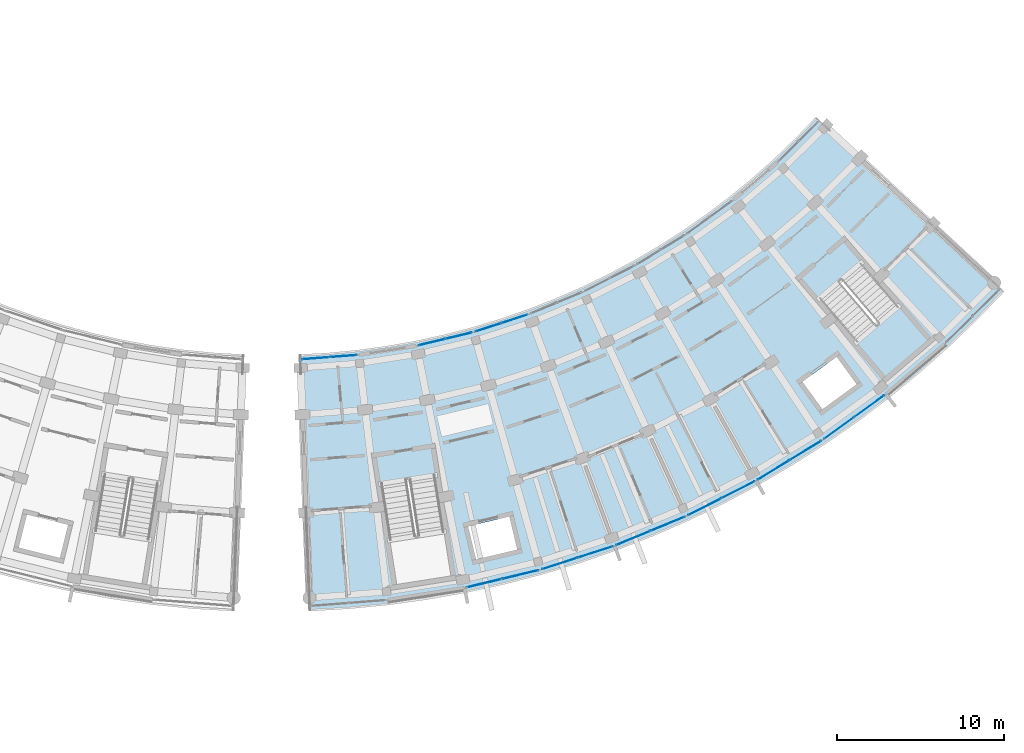
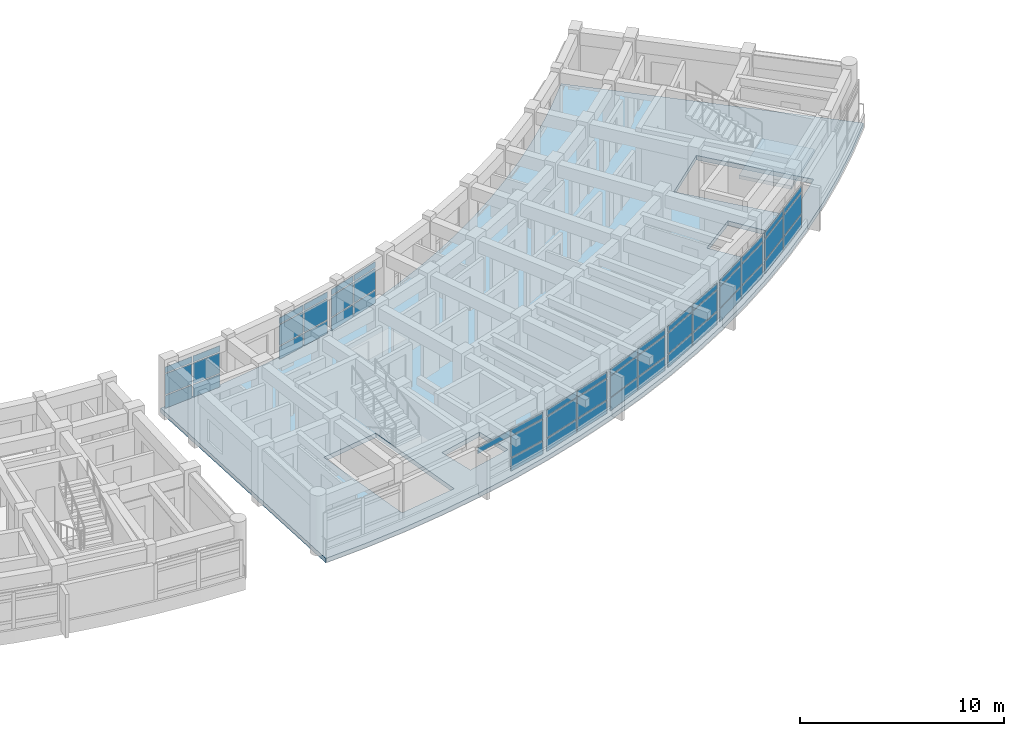
# One storey, part 50 of 83: 52 plates, 2 slabs, 10 elements without a shape of their own.
"""IFC4 building model written with IfcOpenShell, lengths in metres."""

import ifcopenshell
import ifcopenshell.guid

model = None  # the IFC model being written
_history = None  # IfcOwnerHistory: only IFC2X3 demands one
_inside = {}  # id of a spatial element -> (the spatial element, [elements in it])
_under = {}  # id of a project, library or spatial element -> (it, [spatial elements below it])
_declared = {}  # id of a project -> (the project, [libraries it declares])
_typed = {}  # id of a type object -> (the type object, [elements of that type])
_made_of = {}  # id of a material, layer set ... -> (it, [elements and type objects made of it])


def new_model(schema):
    """Start an empty IFC model of exactly this schema.

    Asked for "IFC4X3", IfcOpenShell would pick the latest addendum, in which some entities
    have other attributes; the version numbers below select the first issue.
    IFC2X3 requires an IfcOwnerHistory on every rooted entity: one is made here for all.
    """
    global model, _history
    if schema == "IFC4X3":
        model = ifcopenshell.file(schema_version=(4, 3, 0, 0))
    else:
        model = ifcopenshell.file(schema=schema)
    _inside.clear()
    _under.clear()
    _declared.clear()
    _typed.clear()
    _made_of.clear()
    _history = None
    if model.schema == "IFC2X3":
        org = make("IfcOrganization", Name="unknown")
        user = make(
            "IfcPersonAndOrganization",
            ThePerson=make("IfcPerson", FamilyName="unknown"),
            TheOrganization=org,
        )
        app = make(
            "IfcApplication",
            ApplicationDeveloper=org,
            Version="unknown",
            ApplicationFullName="unknown",
            ApplicationIdentifier="unknown",
        )
        _history = make(
            "IfcOwnerHistory",
            OwningUser=user,
            OwningApplication=app,
            ChangeAction="ADDED",
            CreationDate=0,
        )
    return model


def make(cls, **values):
    """One entity of the class cls with the attributes given. An attribute that is None is left unset."""
    return model.create_entity(
        cls, **{name: value for name, value in values.items() if value is not None}
    )


def rooted(cls, **values):
    """An entity with a GlobalId (a new one), such as an element, a storey or a relation."""
    return make(cls, GlobalId=ifcopenshell.guid.new(), OwnerHistory=_history, **values)


def si_unit(unit_type, name, prefix=None):
    """IfcSIUnit, for example si_unit("LENGTHUNIT", "METRE", prefix="MILLI")."""
    return make("IfcSIUnit", UnitType=unit_type, Prefix=prefix, Name=name)


def assignment(units):
    """IfcUnitAssignment: the units of a project."""
    return None if units is None else make("IfcUnitAssignment", Units=units)


def point(xyz):
    """IfcCartesianPoint."""
    return None if xyz is None else make("IfcCartesianPoint", Coordinates=xyz)


def direction(xyz):
    """IfcDirection."""
    return None if xyz is None else make("IfcDirection", DirectionRatios=xyz)


def frame(location, z_axis=None, x_axis=None):
    """IfcAxis2Placement3D, a coordinate frame: its origin and axes. An axis left out is left unset."""
    return make(
        "IfcAxis2Placement3D",
        Location=point(location),
        Axis=direction(z_axis),
        RefDirection=direction(x_axis),
    )


def frame_2d(location, x_axis=None):
    """IfcAxis2Placement2D, a coordinate frame in the plane: its origin and x axis."""
    return make(
        "IfcAxis2Placement2D", Location=point(location), RefDirection=direction(x_axis)
    )


def origin():
    """The frame at (0, 0, 0) with its axes left unset."""
    return frame((0.0, 0.0, 0.0))


def origin_2d():
    """The frame at (0, 0) in the plane with its x axis left unset."""
    return frame_2d((0.0, 0.0))


def place(relative_to, where):
    """IfcLocalPlacement: puts the frame where relative to a parent placement (None: the world)."""
    return make(
        "IfcLocalPlacement", PlacementRelTo=relative_to, RelativePlacement=where
    )


def context(
    kind, dimensions, precision=None, world=None, true_north=None, identifier=None
):
    """IfcGeometricRepresentationContext, for example the 3D "Model" context."""
    return make(
        "IfcGeometricRepresentationContext",
        ContextIdentifier=identifier,
        ContextType=kind,
        CoordinateSpaceDimension=dimensions,
        Precision=precision,
        WorldCoordinateSystem=world,
        TrueNorth=true_north,
    )


def subcontext(parent, identifier, kind, view, scale=None):
    """IfcGeometricRepresentationSubContext, for example "Body" below "Model"."""
    return make(
        "IfcGeometricRepresentationSubContext",
        ContextIdentifier=identifier,
        ContextType=kind,
        ParentContext=parent,
        TargetScale=scale,
        TargetView=view,
    )


def project(units=None, contexts=None):
    """IfcProject with its units and contexts."""
    return rooted(
        "IfcProject",
        Name="project",
        RepresentationContexts=contexts,
        UnitsInContext=assignment(units),
    )


def spatial(cls, under=None, at=None, **own):
    """A site, building, storey or space (cls), placed at a placement, below another one or the project."""
    s = rooted(cls, ObjectPlacement=at, **own)
    if under is not None:
        _under.setdefault(under.id(), (under, []))[1].append(s)
    return s


def polyline(points):
    """IfcPolyline through the points."""
    return make("IfcPolyline", Points=[point(p) for p in points])


def profile(cls, at=None, kind="AREA", **sizes):
    """A parametric profile (cls). Its sizes go by their IFC names, for example OverallWidth=200.0."""
    return make(cls, ProfileType=kind, Position=at, **sizes)


def rectangle(**sizes):
    """IfcRectangleProfileDef."""
    return profile("IfcRectangleProfileDef", **sizes)


def outline(outer, holes=None, kind="AREA"):
    """IfcArbitraryClosedProfileDef: a profile drawn as a closed curve; with holes, ...WithVoids."""
    if holes is None:
        return make("IfcArbitraryClosedProfileDef", ProfileType=kind, OuterCurve=outer)
    return make(
        "IfcArbitraryProfileDefWithVoids",
        ProfileType=kind,
        OuterCurve=outer,
        InnerCurves=holes,
    )


def extrude(swept, where, along, depth):
    """IfcExtrudedAreaSolid: the profile swept, set in the frame where, extruded along a direction by depth."""
    return make(
        "IfcExtrudedAreaSolid",
        SweptArea=swept,
        Position=where,
        ExtrudedDirection=direction(along),
        Depth=depth,
    )


def shape(context_of_items, identifier, shape_type, items):
    """IfcShapeRepresentation: the items that make up one representation, for example the "Body"."""
    return make(
        "IfcShapeRepresentation",
        ContextOfItems=context_of_items,
        RepresentationIdentifier=identifier,
        RepresentationType=shape_type,
        Items=items,
    )


def material(Name=None, Category=None):
    """IfcMaterial."""
    return make("IfcMaterial", Name=Name, Category=Category)


def layer(
    of_material, thickness, ventilated=None, Name=None, Category=None, Priority=None
):
    """IfcMaterialLayer: one layer of a wall or slab, of a material (None: an air gap)."""
    return make(
        "IfcMaterialLayer",
        Material=of_material,
        LayerThickness=thickness,
        IsVentilated=ventilated,
        Name=Name,
        Category=Category,
        Priority=Priority,
    )


def layer_set(layers, Name=None):
    """IfcMaterialLayerSet."""
    return make("IfcMaterialLayerSet", MaterialLayers=layers, LayerSetName=Name)


def made_of(thing, what):
    """Note that an element or type object is made of a material, layer set ...; save() writes the relation."""
    if what is not None:
        _made_of.setdefault(what.id(), (what, []))[1].append(thing)
    return thing


def type_object(cls, material=None, **own):
    """A type object (cls), such as IfcWallType, which elements share."""
    return made_of(rooted(cls, **own), material)


def element(
    cls,
    number,
    at=None,
    inside=None,
    cuts=None,
    type_object=None,
    material=None,
    context=None,
    identifier="Body",
    shape_type=None,
    held_by="IfcProductDefinitionShape",
    body=None,
    shapes=None,
    **own,
):
    """One element of the class cls, such as IfcWall. Its Tag is "e" and its number.

    at: its placement. inside: the storey or other place that contains it. cuts: it is an
    opening in that element (IfcRelVoidsElement). A single representation is given by context,
    identifier, shape_type and body (its items); several are given by shapes. held_by: the class
    of the entity that holds the representations. save() writes the other relations.
    """
    e = rooted(cls, Tag="e%d" % number, ObjectPlacement=at, **own)
    if body is not None:
        shapes = [shape(context, identifier, shape_type, body)]
    if shapes is not None:
        e.Representation = make(held_by, Representations=shapes)
    if inside is not None:
        _inside.setdefault(inside.id(), (inside, []))[1].append(e)
    if cuts is not None:
        rooted(
            "IfcRelVoidsElement", RelatingBuildingElement=cuts, RelatedOpeningElement=e
        )
    if type_object is not None:
        _typed.setdefault(type_object.id(), (type_object, []))[1].append(e)
    return made_of(e, material)


def aggregate(whole, parts):
    """IfcRelAggregates: a whole, such as a stair, and the parts it consists of."""
    return rooted("IfcRelAggregates", RelatingObject=whole, RelatedObjects=parts)


def save(model, path):
    """Write the relations noted so far, then the file.

    IfcRelAggregates (storeys below a building ...), IfcRelContainedInSpatialStructure (elements
    in a storey), IfcRelDefinesByType, IfcRelAssociatesMaterial and IfcRelDeclares: one each for
    every whole, place, type object, material and project.
    """
    for whole, parts in _under.values():
        aggregate(whole, parts)
    for where, things in _inside.values():
        rooted(
            "IfcRelContainedInSpatialStructure",
            RelatedElements=things,
            RelatingStructure=where,
        )
    for kind, things in _typed.values():
        rooted("IfcRelDefinesByType", RelatedObjects=things, RelatingType=kind)
    for what, things in _made_of.values():
        rooted("IfcRelAssociatesMaterial", RelatedObjects=things, RelatingMaterial=what)
    for by, libraries in _declared.values():
        rooted("IfcRelDeclares", RelatingContext=by, RelatedDefinitions=libraries)
    model.write(path)


model = new_model("IFC4")

# Units and contexts
model_context = context("Model", 3, precision=1e-05, world=origin(), true_north=direction((0.0, 1.0)))
body_context = subcontext(model_context, "Body", "Model", "MODEL_VIEW")
ifc_project = project(units=[si_unit("LENGTHUNIT", "METRE"), si_unit("AREAUNIT", "SQUARE_METRE"), si_unit("VOLUMEUNIT", "CUBIC_METRE"), si_unit("PLANEANGLEUNIT", "RADIAN"), si_unit("MASSUNIT", "GRAM", prefix="KILO")], contexts=[model_context])

# Site, building, storey
site_placement = place(None, origin())
site = spatial("IfcSite", under=ifc_project, at=site_placement, CompositionType="ELEMENT")
building_placement = place(site_placement, origin())
building = spatial("IfcBuilding", under=site, at=building_placement, Name="Zimvara Arc Housing Community", CompositionType="ELEMENT")
storey_placement = place(building_placement, frame((0.0, 0.0, 4.5)))
storey = spatial("IfcBuildingStorey", under=building, at=storey_placement, Name="L01", CompositionType="ELEMENT", Elevation=4.5)

# Curtain wall, plates
ifc_material_1 = material(Name="Anodised Aluminium AW-6063", Category="aluminium")
curtain_wall_type_1 = type_object("IfcCurtainWallType", Name="CW-SYS-08", PredefinedType="USERDEFINED", material=ifc_material_1)
curtain_wall_1_placement = place(storey_placement, origin())
curtain_wall_1 = element("IfcCurtainWall", 1, at=curtain_wall_1_placement, inside=storey, type_object=curtain_wall_type_1, Name="cw:blkD:L01:in:b2", ObjectType="CURTAIN WALL", PredefinedType="USERDEFINED")
ifc_material_2 = material(Name="Pale-Gold Anodised Aluminium Spandrel Panel", Category="aluminium")
ifc_layer_1 = layer(ifc_material_2, 0.035888671875)
ifc_layer_set_1 = layer_set([ifc_layer_1], Name="Pale-Gold Anodised Aluminium Spandrel Panel")
plate_type_1 = type_object("IfcPlateType", Name="CWP-GLD-36", PredefinedType="CURTAIN_PANEL", material=ifc_layer_set_1)
plate_1_placement = place(storey_placement, frame((135.543701171875, 66.30419921875, 0.06494140625), z_axis=(0.0, 0.0, 1.0), x_axis=(0.972573441526, 0.232596003485, 0.0)))
plate_1 = element("IfcPlate", 2, at=plate_1_placement, type_object=plate_type_1, Name="CW08 panel 1.1", PredefinedType="CURTAIN_PANEL", context=body_context, shape_type="SweptSolid", body=[
    extrude(rectangle(XDim=1.59423828125, YDim=0.035888671875, at=origin_2d()), origin(), (0.0, 0.0, 1.0), 0.75244140625),
])
plate_2_placement = place(storey_placement, frame((135.543701171875, 66.30419921875, 0.88232421875), z_axis=(0.0, 0.0, 1.0), x_axis=(0.972573441526, 0.232596003485, 0.0)))
plate_2 = element("IfcPlate", 3, at=plate_2_placement, type_object=plate_type_1, Name="CW08 panel 1.2", PredefinedType="CURTAIN_PANEL", context=body_context, shape_type="SweptSolid", body=[
    extrude(rectangle(XDim=1.59423828125, YDim=0.035888671875, at=origin_2d()), origin(), (0.0, 0.0, 1.0), 1.235107421875),
])
plate_3_placement = place(storey_placement, frame((135.543701171875, 66.30419921875, 2.182373046875), z_axis=(0.0, 0.0, 1.0), x_axis=(0.972573441526, 0.232596003485, 0.0)))
plate_3 = element("IfcPlate", 4, at=plate_3_placement, type_object=plate_type_1, Name="CW08 panel 1.3", PredefinedType="CURTAIN_PANEL", context=body_context, shape_type="SweptSolid", body=[
    extrude(rectangle(XDim=1.59423828125, YDim=0.035888671875, at=origin_2d()), origin(), (0.0, 0.0, 1.0), 0.3525390625),
])
plate_4_placement = place(storey_placement, frame((137.1572265625, 66.690185546875, 0.06494140625), z_axis=(0.0, 0.0, 1.0), x_axis=(0.972573441526, 0.232596003485, 0.0)))
plate_4 = element("IfcPlate", 5, at=plate_4_placement, type_object=plate_type_1, Name="CW08 panel 2.1", PredefinedType="CURTAIN_PANEL", context=body_context, shape_type="SweptSolid", body=[
    extrude(rectangle(XDim=1.59423828125, YDim=0.035888671875, at=origin_2d()), origin(), (0.0, 0.0, 1.0), 0.75244140625),
])
plate_5_placement = place(storey_placement, frame((137.1572265625, 66.690185546875, 0.88232421875), z_axis=(0.0, 0.0, 1.0), x_axis=(0.972573441526, 0.232596003485, 0.0)))
plate_5 = element("IfcPlate", 6, at=plate_5_placement, type_object=plate_type_1, Name="CW08 panel 2.2", PredefinedType="CURTAIN_PANEL", context=body_context, shape_type="SweptSolid", body=[
    extrude(rectangle(XDim=1.59423828125, YDim=0.035888671875, at=origin_2d()), origin(), (0.0, 0.0, 1.0), 1.235107421875),
])
plate_6_placement = place(storey_placement, frame((137.1572265625, 66.690185546875, 2.182373046875), z_axis=(0.0, 0.0, 1.0), x_axis=(0.972573441526, 0.232596003485, 0.0)))
plate_6 = element("IfcPlate", 7, at=plate_6_placement, type_object=plate_type_1, Name="CW08 panel 2.3", PredefinedType="CURTAIN_PANEL", context=body_context, shape_type="SweptSolid", body=[
    extrude(rectangle(XDim=1.59423828125, YDim=0.035888671875, at=origin_2d()), origin(), (0.0, 0.0, 1.0), 0.3525390625),
])
aggregate(curtain_wall_1, [plate_1, plate_2, plate_3, plate_4, plate_5, plate_6])

ifc_material_3 = material(Name="Anodised Aluminium AW-6063", Category="aluminium")
curtain_wall_type_2 = type_object("IfcCurtainWallType", Name="CW-SYS-01", PredefinedType="USERDEFINED", material=ifc_material_3)
curtain_wall_2_placement = place(storey_placement, origin())
curtain_wall_2 = element("IfcCurtainWall", 8, at=curtain_wall_2_placement, inside=storey, type_object=curtain_wall_type_2, Name="cw:blkD:L01:out:b3", ObjectType="CURTAIN WALL", PredefinedType="USERDEFINED")
ifc_material_4 = material(Name="Solar Control Low-E Double Glazing", Category="glass")
ifc_layer_2 = layer(ifc_material_4, 0.02392578125)
ifc_layer_set_2 = layer_set([ifc_layer_2], Name="Solar Control Low-E Double Glazing")
plate_type_2 = type_object("IfcPlateType", Name="CWP-GLZ-24", PredefinedType="CURTAIN_PANEL", material=ifc_layer_set_2)
plate_7_placement = place(storey_placement, frame((143.201171875, 53.06884765625, 0.06494140625), z_axis=(0.0, 0.0, 1.0), x_axis=(0.951326460914, 0.308184952203, 0.0)))
plate_7 = element("IfcPlate", 9, at=plate_7_placement, type_object=plate_type_2, Name="CW01 panel 1.1", PredefinedType="CURTAIN_PANEL", context=body_context, shape_type="SweptSolid", body=[
    extrude(rectangle(XDim=2.173828125, YDim=0.02392578125, at=origin_2d()), origin(), (0.0, 0.0, 1.0), 0.75244140625),
])
plate_8_placement = place(storey_placement, frame((143.201171875, 53.06884765625, 0.88232421875), z_axis=(0.0, 0.0, 1.0), x_axis=(0.951326460914, 0.308184952203, 0.0)))
plate_8 = element("IfcPlate", 10, at=plate_8_placement, type_object=plate_type_2, Name="CW01 panel 1.2", PredefinedType="CURTAIN_PANEL", context=body_context, shape_type="SweptSolid", body=[
    extrude(rectangle(XDim=2.173828125, YDim=0.02392578125, at=origin_2d()), origin(), (0.0, 0.0, 1.0), 1.235107421875),
])
plate_9_placement = place(storey_placement, frame((143.201171875, 53.06884765625, 2.182373046875), z_axis=(0.0, 0.0, 1.0), x_axis=(0.951326460914, 0.308184952203, 0.0)))
plate_9 = element("IfcPlate", 11, at=plate_9_placement, type_object=plate_type_2, Name="CW01 panel 1.3", PredefinedType="CURTAIN_PANEL", context=body_context, shape_type="SweptSolid", body=[
    extrude(rectangle(XDim=2.173828125, YDim=0.02392578125, at=origin_2d()), origin(), (0.0, 0.0, 1.0), 0.3525390625),
])
plate_10_placement = place(storey_placement, frame((145.330810546875, 53.7587890625, 0.06494140625), z_axis=(0.0, 0.0, 1.0), x_axis=(0.951326460914, 0.308184952203, 0.0)))
plate_10 = element("IfcPlate", 12, at=plate_10_placement, type_object=plate_type_2, Name="CW01 panel 2.1", PredefinedType="CURTAIN_PANEL", context=body_context, shape_type="SweptSolid", body=[
    extrude(rectangle(XDim=2.173828125, YDim=0.02392578125, at=origin_2d()), origin(), (0.0, 0.0, 1.0), 0.75244140625),
])
plate_11_placement = place(storey_placement, frame((145.330810546875, 53.7587890625, 0.88232421875), z_axis=(0.0, 0.0, 1.0), x_axis=(0.951326460914, 0.308184952203, 0.0)))
plate_11 = element("IfcPlate", 13, at=plate_11_placement, type_object=plate_type_2, Name="CW01 panel 2.2", PredefinedType="CURTAIN_PANEL", context=body_context, shape_type="SweptSolid", body=[
    extrude(rectangle(XDim=2.173828125, YDim=0.02392578125, at=origin_2d()), origin(), (0.0, 0.0, 1.0), 1.235107421875),
])
plate_12_placement = place(storey_placement, frame((145.330810546875, 53.7587890625, 2.182373046875), z_axis=(0.0, 0.0, 1.0), x_axis=(0.951326460914, 0.308184952203, 0.0)))
plate_12 = element("IfcPlate", 14, at=plate_12_placement, type_object=plate_type_2, Name="CW01 panel 2.3", PredefinedType="CURTAIN_PANEL", context=body_context, shape_type="SweptSolid", body=[
    extrude(rectangle(XDim=2.173828125, YDim=0.02392578125, at=origin_2d()), origin(), (0.0, 0.0, 1.0), 0.3525390625),
])
aggregate(curtain_wall_2, [plate_7, plate_8, plate_9, plate_10, plate_11, plate_12])

ifc_material_5 = material(Name="Anodised Aluminium AW-6063", Category="aluminium")
curtain_wall_type_3 = type_object("IfcCurtainWallType", Name="CW-SYS-05", PredefinedType="USERDEFINED", material=ifc_material_5)
curtain_wall_3_placement = place(storey_placement, origin())
curtain_wall_3 = element("IfcCurtainWall", 15, at=curtain_wall_3_placement, inside=storey, type_object=curtain_wall_type_3, Name="cw:blkD:L01:out:b5", ObjectType="CURTAIN WALL", PredefinedType="USERDEFINED")
plate_13_placement = place(storey_placement, frame((151.873291015625, 56.4619140625, 0.06494140625), z_axis=(0.0, 0.0, 1.0), x_axis=(0.891402932954, 0.453211662605, 0.0)))
plate_13 = element("IfcPlate", 16, at=plate_13_placement, type_object=plate_type_2, Name="CW05 panel 1.1", PredefinedType="CURTAIN_PANEL", context=body_context, shape_type="SweptSolid", body=[
    extrude(rectangle(XDim=2.173828125, YDim=0.02392578125, at=origin_2d()), origin(), (0.0, 0.0, 1.0), 0.75244140625),
])
plate_14_placement = place(storey_placement, frame((151.873291015625, 56.4619140625, 0.88232421875), z_axis=(0.0, 0.0, 1.0), x_axis=(0.891402932954, 0.453211662605, 0.0)))
plate_14 = element("IfcPlate", 17, at=plate_14_placement, type_object=plate_type_2, Name="CW05 panel 1.2", PredefinedType="CURTAIN_PANEL", context=body_context, shape_type="SweptSolid", body=[
    extrude(rectangle(XDim=2.173828125, YDim=0.02392578125, at=origin_2d()), origin(), (0.0, 0.0, 1.0), 1.235107421875),
])
plate_15_placement = place(storey_placement, frame((151.873291015625, 56.4619140625, 2.182373046875), z_axis=(0.0, 0.0, 1.0), x_axis=(0.891402932954, 0.453211662605, 0.0)))
plate_15 = element("IfcPlate", 18, at=plate_15_placement, type_object=plate_type_2, Name="CW05 panel 1.3", PredefinedType="CURTAIN_PANEL", context=body_context, shape_type="SweptSolid", body=[
    extrude(rectangle(XDim=2.173828125, YDim=0.02392578125, at=origin_2d()), origin(), (0.0, 0.0, 1.0), 0.3525390625),
])
plate_16_placement = place(storey_placement, frame((153.868896484375, 57.4765625, 0.06494140625), z_axis=(0.0, 0.0, 1.0), x_axis=(0.891402932954, 0.453211662605, 0.0)))
plate_16 = element("IfcPlate", 19, at=plate_16_placement, type_object=plate_type_2, Name="CW05 panel 2.1", PredefinedType="CURTAIN_PANEL", context=body_context, shape_type="SweptSolid", body=[
    extrude(rectangle(XDim=2.173828125, YDim=0.02392578125, at=origin_2d()), origin(), (0.0, 0.0, 1.0), 0.75244140625),
])
plate_17_placement = place(storey_placement, frame((153.868896484375, 57.4765625, 0.88232421875), z_axis=(0.0, 0.0, 1.0), x_axis=(0.891402932954, 0.453211662605, 0.0)))
plate_17 = element("IfcPlate", 20, at=plate_17_placement, type_object=plate_type_2, Name="CW05 panel 2.2", PredefinedType="CURTAIN_PANEL", context=body_context, shape_type="SweptSolid", body=[
    extrude(rectangle(XDim=2.173828125, YDim=0.02392578125, at=origin_2d()), origin(), (0.0, 0.0, 1.0), 1.235107421875),
])
plate_18_placement = place(storey_placement, frame((153.868896484375, 57.4765625, 2.182373046875), z_axis=(0.0, 0.0, 1.0), x_axis=(0.891402932954, 0.453211662605, 0.0)))
plate_18 = element("IfcPlate", 21, at=plate_18_placement, type_object=plate_type_2, Name="CW05 panel 2.3", PredefinedType="CURTAIN_PANEL", context=body_context, shape_type="SweptSolid", body=[
    extrude(rectangle(XDim=2.173828125, YDim=0.02392578125, at=origin_2d()), origin(), (0.0, 0.0, 1.0), 0.3525390625),
])
aggregate(curtain_wall_3, [plate_13, plate_14, plate_15, plate_16, plate_17, plate_18])

curtain_wall_4_placement = place(storey_placement, origin())
curtain_wall_4 = element("IfcCurtainWall", 22, at=curtain_wall_4_placement, inside=storey, type_object=curtain_wall_type_2, Name="cw:blkD:L01:out:b7", ObjectType="CURTAIN WALL", PredefinedType="USERDEFINED")
plate_19_placement = place(storey_placement, frame((159.90771484375, 61.169921875, 0.06494140625), z_axis=(0.0, 0.0, 1.0), x_axis=(0.809530431263, 0.587077917196, 0.0)))
plate_19 = element("IfcPlate", 23, at=plate_19_placement, type_object=plate_type_2, Name="CW01 panel 1.1", PredefinedType="CURTAIN_PANEL", context=body_context, shape_type="SweptSolid", body=[
    extrude(rectangle(XDim=2.173828125, YDim=0.02392578125, at=origin_2d()), origin(), (0.0, 0.0, 1.0), 0.75244140625),
])
plate_20_placement = place(storey_placement, frame((159.90771484375, 61.169921875, 0.88232421875), z_axis=(0.0, 0.0, 1.0), x_axis=(0.809530431263, 0.587077917196, 0.0)))
plate_20 = element("IfcPlate", 24, at=plate_20_placement, type_object=plate_type_2, Name="CW01 panel 1.2", PredefinedType="CURTAIN_PANEL", context=body_context, shape_type="SweptSolid", body=[
    extrude(rectangle(XDim=2.173828125, YDim=0.02392578125, at=origin_2d()), origin(), (0.0, 0.0, 1.0), 1.235107421875),
])
plate_21_placement = place(storey_placement, frame((159.90771484375, 61.169921875, 2.182373046875), z_axis=(0.0, 0.0, 1.0), x_axis=(0.809530431263, 0.587077917196, 0.0)))
plate_21 = element("IfcPlate", 25, at=plate_21_placement, type_object=plate_type_2, Name="CW01 panel 1.3", PredefinedType="CURTAIN_PANEL", context=body_context, shape_type="SweptSolid", body=[
    extrude(rectangle(XDim=2.173828125, YDim=0.02392578125, at=origin_2d()), origin(), (0.0, 0.0, 1.0), 0.3525390625),
])
plate_22_placement = place(storey_placement, frame((161.719970703125, 62.484375, 0.06494140625), z_axis=(0.0, 0.0, 1.0), x_axis=(0.809530431263, 0.587077917196, 0.0)))
plate_22 = element("IfcPlate", 26, at=plate_22_placement, type_object=plate_type_2, Name="CW01 panel 2.1", PredefinedType="CURTAIN_PANEL", context=body_context, shape_type="SweptSolid", body=[
    extrude(rectangle(XDim=2.173828125, YDim=0.02392578125, at=origin_2d()), origin(), (0.0, 0.0, 1.0), 0.75244140625),
])
plate_23_placement = place(storey_placement, frame((161.719970703125, 62.484375, 0.88232421875), z_axis=(0.0, 0.0, 1.0), x_axis=(0.809530431263, 0.587077917196, 0.0)))
plate_23 = element("IfcPlate", 27, at=plate_23_placement, type_object=plate_type_2, Name="CW01 panel 2.2", PredefinedType="CURTAIN_PANEL", context=body_context, shape_type="SweptSolid", body=[
    extrude(rectangle(XDim=2.173828125, YDim=0.02392578125, at=origin_2d()), origin(), (0.0, 0.0, 1.0), 1.235107421875),
])
plate_24_placement = place(storey_placement, frame((161.719970703125, 62.484375, 2.182373046875), z_axis=(0.0, 0.0, 1.0), x_axis=(0.809530431263, 0.587077917196, 0.0)))
plate_24 = element("IfcPlate", 28, at=plate_24_placement, type_object=plate_type_2, Name="CW01 panel 2.3", PredefinedType="CURTAIN_PANEL", context=body_context, shape_type="SweptSolid", body=[
    extrude(rectangle(XDim=2.173828125, YDim=0.02392578125, at=origin_2d()), origin(), (0.0, 0.0, 1.0), 0.3525390625),
])
aggregate(curtain_wall_4, [plate_19, plate_20, plate_21, plate_22, plate_23, plate_24])

ifc_material_6 = material(Name="Anodised Aluminium AW-6063", Category="aluminium")
curtain_wall_type_4 = type_object("IfcCurtainWallType", Name="CW-SYS-06", PredefinedType="USERDEFINED", material=ifc_material_6)
curtain_wall_5_placement = place(storey_placement, origin())
curtain_wall_5 = element("IfcCurtainWall", 29, at=curtain_wall_5_placement, inside=storey, type_object=curtain_wall_type_4, Name="cw:blkD:L01:in:b0", ObjectType="CURTAIN WALL", PredefinedType="USERDEFINED")
ifc_material_7 = material(Name="Solar Control Low-E Double Glazing", Category="glass")
ifc_layer_3 = layer(ifc_material_7, 0.028076171875)
ifc_layer_set_3 = layer_set([ifc_layer_3], Name="Solar Control Low-E Double Glazing")
plate_type_3 = type_object("IfcPlateType", Name="CWP-GLZ-28", PredefinedType="CURTAIN_PANEL", material=ifc_layer_set_3)
plate_25_placement = place(storey_placement, frame((128.6123046875, 65.344482421875, 0.06494140625), z_axis=(0.0, 0.0, 1.0), x_axis=(0.996985344149, 0.077590099579, 0.0)))
plate_25 = element("IfcPlate", 30, at=plate_25_placement, type_object=plate_type_3, Name="CW06 panel 1.1", PredefinedType="CURTAIN_PANEL", context=body_context, shape_type="SweptSolid", body=[
    extrude(rectangle(XDim=1.59423828125, YDim=0.028076171875, at=origin_2d()), origin(), (0.0, 0.0, 1.0), 0.75244140625),
])
plate_26_placement = place(storey_placement, frame((128.6123046875, 65.344482421875, 0.88232421875), z_axis=(0.0, 0.0, 1.0), x_axis=(0.996985344149, 0.077590099579, 0.0)))
plate_26 = element("IfcPlate", 31, at=plate_26_placement, type_object=plate_type_3, Name="CW06 panel 1.2", PredefinedType="CURTAIN_PANEL", context=body_context, shape_type="SweptSolid", body=[
    extrude(rectangle(XDim=1.59423828125, YDim=0.028076171875, at=origin_2d()), origin(), (0.0, 0.0, 1.0), 1.235107421875),
])
plate_27_placement = place(storey_placement, frame((128.6123046875, 65.344482421875, 2.182373046875), z_axis=(0.0, 0.0, 1.0), x_axis=(0.996985344149, 0.077590099579, 0.0)))
plate_27 = element("IfcPlate", 32, at=plate_27_placement, type_object=plate_type_3, Name="CW06 panel 1.3", PredefinedType="CURTAIN_PANEL", context=body_context, shape_type="SweptSolid", body=[
    extrude(rectangle(XDim=1.59423828125, YDim=0.028076171875, at=origin_2d()), origin(), (0.0, 0.0, 1.0), 0.3525390625),
])
plate_28_placement = place(storey_placement, frame((130.2666015625, 65.47314453125, 0.06494140625), z_axis=(0.0, 0.0, 1.0), x_axis=(0.996985344149, 0.077590099579, 0.0)))
plate_28 = element("IfcPlate", 33, at=plate_28_placement, type_object=plate_type_3, Name="CW06 panel 2.1", PredefinedType="CURTAIN_PANEL", context=body_context, shape_type="SweptSolid", body=[
    extrude(rectangle(XDim=1.59423828125, YDim=0.028076171875, at=origin_2d()), origin(), (0.0, 0.0, 1.0), 0.75244140625),
])
plate_29_placement = place(storey_placement, frame((130.2666015625, 65.47314453125, 0.88232421875), z_axis=(0.0, 0.0, 1.0), x_axis=(0.996985344149, 0.077590099579, 0.0)))
plate_29 = element("IfcPlate", 34, at=plate_29_placement, type_object=plate_type_3, Name="CW06 panel 2.2", PredefinedType="CURTAIN_PANEL", context=body_context, shape_type="SweptSolid", body=[
    extrude(rectangle(XDim=1.59423828125, YDim=0.028076171875, at=origin_2d()), origin(), (0.0, 0.0, 1.0), 1.235107421875),
])
plate_30_placement = place(storey_placement, frame((130.2666015625, 65.47314453125, 2.182373046875), z_axis=(0.0, 0.0, 1.0), x_axis=(0.996985344149, 0.077590099579, 0.0)))
plate_30 = element("IfcPlate", 35, at=plate_30_placement, type_object=plate_type_3, Name="CW06 panel 2.3", PredefinedType="CURTAIN_PANEL", context=body_context, shape_type="SweptSolid", body=[
    extrude(rectangle(XDim=1.59423828125, YDim=0.028076171875, at=origin_2d()), origin(), (0.0, 0.0, 1.0), 0.3525390625),
])
aggregate(curtain_wall_5, [plate_25, plate_26, plate_27, plate_28, plate_29, plate_30])

ifc_material_8 = material(Name="Anodised Aluminium AW-6063", Category="aluminium")
curtain_wall_type_5 = type_object("IfcCurtainWallType", Name="CW-SYS-02", PredefinedType="USERDEFINED", material=ifc_material_8)
curtain_wall_6_placement = place(storey_placement, origin())
curtain_wall_6 = element("IfcCurtainWall", 36, at=curtain_wall_6_placement, inside=storey, type_object=curtain_wall_type_5, Name="cw:blkD:L01:in:b3", ObjectType="CURTAIN WALL", PredefinedType="USERDEFINED")
plate_31_placement = place(storey_placement, frame((138.931396484375, 67.18896484375, 0.06494140625), z_axis=(0.0, 0.0, 1.0), x_axis=(0.951326373008, 0.308185223559, 0.0)))
plate_31 = element("IfcPlate", 37, at=plate_31_placement, type_object=plate_type_3, Name="CW02 panel 1.1", PredefinedType="CURTAIN_PANEL", context=body_context, shape_type="SweptSolid", body=[
    extrude(rectangle(XDim=1.59423828125, YDim=0.028076171875, at=origin_2d()), origin(), (0.0, 0.0, 1.0), 0.75244140625),
])
plate_32_placement = place(storey_placement, frame((138.931396484375, 67.18896484375, 0.88232421875), z_axis=(0.0, 0.0, 1.0), x_axis=(0.951326373008, 0.308185223559, 0.0)))
plate_32 = element("IfcPlate", 38, at=plate_32_placement, type_object=plate_type_3, Name="CW02 panel 1.2", PredefinedType="CURTAIN_PANEL", context=body_context, shape_type="SweptSolid", body=[
    extrude(rectangle(XDim=1.59423828125, YDim=0.028076171875, at=origin_2d()), origin(), (0.0, 0.0, 1.0), 1.235107421875),
])
plate_33_placement = place(storey_placement, frame((138.931396484375, 67.18896484375, 2.182373046875), z_axis=(0.0, 0.0, 1.0), x_axis=(0.951326373008, 0.308185223559, 0.0)))
plate_33 = element("IfcPlate", 39, at=plate_33_placement, type_object=plate_type_3, Name="CW02 panel 1.3", PredefinedType="CURTAIN_PANEL", context=body_context, shape_type="SweptSolid", body=[
    extrude(rectangle(XDim=1.59423828125, YDim=0.028076171875, at=origin_2d()), origin(), (0.0, 0.0, 1.0), 0.3525390625),
])
plate_34_placement = place(storey_placement, frame((140.510009765625, 67.7001953125, 0.06494140625), z_axis=(0.0, 0.0, 1.0), x_axis=(0.951326373008, 0.308185223559, 0.0)))
plate_34 = element("IfcPlate", 40, at=plate_34_placement, type_object=plate_type_3, Name="CW02 panel 2.1", PredefinedType="CURTAIN_PANEL", context=body_context, shape_type="SweptSolid", body=[
    extrude(rectangle(XDim=1.59423828125, YDim=0.028076171875, at=origin_2d()), origin(), (0.0, 0.0, 1.0), 0.75244140625),
])
plate_35_placement = place(storey_placement, frame((140.510009765625, 67.7001953125, 0.88232421875), z_axis=(0.0, 0.0, 1.0), x_axis=(0.951326373008, 0.308185223559, 0.0)))
plate_35 = element("IfcPlate", 41, at=plate_35_placement, type_object=plate_type_3, Name="CW02 panel 2.2", PredefinedType="CURTAIN_PANEL", context=body_context, shape_type="SweptSolid", body=[
    extrude(rectangle(XDim=1.59423828125, YDim=0.028076171875, at=origin_2d()), origin(), (0.0, 0.0, 1.0), 1.235107421875),
])
plate_36_placement = place(storey_placement, frame((140.510009765625, 67.7001953125, 2.182373046875), z_axis=(0.0, 0.0, 1.0), x_axis=(0.951326373008, 0.308185223559, 0.0)))
plate_36 = element("IfcPlate", 42, at=plate_36_placement, type_object=plate_type_3, Name="CW02 panel 2.3", PredefinedType="CURTAIN_PANEL", context=body_context, shape_type="SweptSolid", body=[
    extrude(rectangle(XDim=1.59423828125, YDim=0.028076171875, at=origin_2d()), origin(), (0.0, 0.0, 1.0), 0.3525390625),
])
aggregate(curtain_wall_6, [plate_31, plate_32, plate_33, plate_34, plate_35, plate_36])

ifc_material_9 = material(Name="Anodised Aluminium AW-6063", Category="aluminium")
curtain_wall_type_6 = type_object("IfcCurtainWallType", Name="CW-SYS-07", PredefinedType="USERDEFINED", material=ifc_material_9)
curtain_wall_7_placement = place(storey_placement, origin())
curtain_wall_7 = element("IfcCurtainWall", 43, at=curtain_wall_7_placement, inside=storey, type_object=curtain_wall_type_6, Name="cw:blkD:L01:out:b2", ObjectType="CURTAIN WALL", PredefinedType="USERDEFINED")
ifc_material_10 = material(Name="Acoustic Laminated Solar Glazing", Category="glass")
ifc_layer_4 = layer(ifc_material_10, 0.031982421875)
ifc_layer_set_4 = layer_set([ifc_layer_4], Name="Acoustic Laminated Solar Glazing")
plate_type_4 = type_object("IfcPlateType", Name="CWP-GLZ-32", PredefinedType="CURTAIN_PANEL", material=ifc_layer_set_4)
plate_37_placement = place(storey_placement, frame((138.6923828125, 51.892822265625, 2.182373046875), z_axis=(0.0, 0.0, 1.0), x_axis=(0.97257325149, 0.232596798101, 0.0)))
plate_37 = element("IfcPlate", 44, at=plate_37_placement, type_object=plate_type_4, Name="CW07 panel 1.3", PredefinedType="CURTAIN_PANEL", context=body_context, shape_type="SweptSolid", body=[
    extrude(rectangle(XDim=2.173828125, YDim=0.031982421875, at=origin_2d()), origin(), (0.0, 0.0, 1.0), 0.3525390625),
])
plate_38_placement = place(storey_placement, frame((140.86962890625, 52.41357421875, 0.06494140625), z_axis=(0.0, 0.0, 1.0), x_axis=(0.97257325149, 0.232596798101, 0.0)))
plate_38 = element("IfcPlate", 45, at=plate_38_placement, type_object=plate_type_4, Name="CW07 panel 2.1", PredefinedType="CURTAIN_PANEL", context=body_context, shape_type="SweptSolid", body=[
    extrude(rectangle(XDim=2.173828125, YDim=0.031982421875, at=origin_2d()), origin(), (0.0, 0.0, 1.0), 0.75244140625),
])
plate_39_placement = place(storey_placement, frame((140.86962890625, 52.41357421875, 0.88232421875), z_axis=(0.0, 0.0, 1.0), x_axis=(0.97257325149, 0.232596798101, 0.0)))
plate_39 = element("IfcPlate", 46, at=plate_39_placement, type_object=plate_type_4, Name="CW07 panel 2.2", PredefinedType="CURTAIN_PANEL", context=body_context, shape_type="SweptSolid", body=[
    extrude(rectangle(XDim=2.173828125, YDim=0.031982421875, at=origin_2d()), origin(), (0.0, 0.0, 1.0), 1.235107421875),
])
plate_40_placement = place(storey_placement, frame((140.86962890625, 52.41357421875, 2.182373046875), z_axis=(0.0, 0.0, 1.0), x_axis=(0.97257325149, 0.232596798101, 0.0)))
plate_40 = element("IfcPlate", 47, at=plate_40_placement, type_object=plate_type_4, Name="CW07 panel 2.3", PredefinedType="CURTAIN_PANEL", context=body_context, shape_type="SweptSolid", body=[
    extrude(rectangle(XDim=2.173828125, YDim=0.031982421875, at=origin_2d()), origin(), (0.0, 0.0, 1.0), 0.3525390625),
])
aggregate(curtain_wall_7, [plate_37, plate_38, plate_39, plate_40])

ifc_material_11 = material(Name="Anodised Aluminium AW-6063", Category="aluminium")
curtain_wall_type_7 = type_object("IfcCurtainWallType", Name="CW-SYS-03", PredefinedType="USERDEFINED", material=ifc_material_11)
curtain_wall_8_placement = place(storey_placement, origin())
curtain_wall_8 = element("IfcCurtainWall", 48, at=curtain_wall_8_placement, inside=storey, type_object=curtain_wall_type_7, Name="cw:blkD:L01:out:b4", ObjectType="CURTAIN WALL", PredefinedType="USERDEFINED")
plate_41_placement = place(storey_placement, frame((147.603759765625, 54.594970703125, 0.06494140625), z_axis=(0.0, 0.0, 1.0), x_axis=(0.924213377749, 0.38187646221, 0.0)))
plate_41 = element("IfcPlate", 49, at=plate_41_placement, type_object=plate_type_4, Name="CW03 panel 1.1", PredefinedType="CURTAIN_PANEL", context=body_context, shape_type="SweptSolid", body=[
    extrude(rectangle(XDim=2.173828125, YDim=0.031982421875, at=origin_2d()), origin(), (0.0, 0.0, 1.0), 0.75244140625),
])
plate_42_placement = place(storey_placement, frame((147.603759765625, 54.594970703125, 0.88232421875), z_axis=(0.0, 0.0, 1.0), x_axis=(0.924213377749, 0.38187646221, 0.0)))
plate_42 = element("IfcPlate", 50, at=plate_42_placement, type_object=plate_type_4, Name="CW03 panel 1.2", PredefinedType="CURTAIN_PANEL", context=body_context, shape_type="SweptSolid", body=[
    extrude(rectangle(XDim=2.173828125, YDim=0.031982421875, at=origin_2d()), origin(), (0.0, 0.0, 1.0), 1.235107421875),
])
plate_43_placement = place(storey_placement, frame((147.603759765625, 54.594970703125, 2.182373046875), z_axis=(0.0, 0.0, 1.0), x_axis=(0.924213377749, 0.38187646221, 0.0)))
plate_43 = element("IfcPlate", 51, at=plate_43_placement, type_object=plate_type_4, Name="CW03 panel 1.3", PredefinedType="CURTAIN_PANEL", context=body_context, shape_type="SweptSolid", body=[
    extrude(rectangle(XDim=2.173828125, YDim=0.031982421875, at=origin_2d()), origin(), (0.0, 0.0, 1.0), 0.3525390625),
])
plate_44_placement = place(storey_placement, frame((149.6728515625, 55.449951171875, 0.06494140625), z_axis=(0.0, 0.0, 1.0), x_axis=(0.924213377749, 0.38187646221, 0.0)))
plate_44 = element("IfcPlate", 52, at=plate_44_placement, type_object=plate_type_4, Name="CW03 panel 2.1", PredefinedType="CURTAIN_PANEL", context=body_context, shape_type="SweptSolid", body=[
    extrude(rectangle(XDim=2.173828125, YDim=0.031982421875, at=origin_2d()), origin(), (0.0, 0.0, 1.0), 0.75244140625),
])
plate_45_placement = place(storey_placement, frame((149.6728515625, 55.449951171875, 0.88232421875), z_axis=(0.0, 0.0, 1.0), x_axis=(0.924213377749, 0.38187646221, 0.0)))
plate_45 = element("IfcPlate", 53, at=plate_45_placement, type_object=plate_type_4, Name="CW03 panel 2.2", PredefinedType="CURTAIN_PANEL", context=body_context, shape_type="SweptSolid", body=[
    extrude(rectangle(XDim=2.173828125, YDim=0.031982421875, at=origin_2d()), origin(), (0.0, 0.0, 1.0), 1.235107421875),
])
plate_46_placement = place(storey_placement, frame((149.6728515625, 55.449951171875, 2.182373046875), z_axis=(0.0, 0.0, 1.0), x_axis=(0.924213377749, 0.38187646221, 0.0)))
plate_46 = element("IfcPlate", 54, at=plate_46_placement, type_object=plate_type_4, Name="CW03 panel 2.3", PredefinedType="CURTAIN_PANEL", context=body_context, shape_type="SweptSolid", body=[
    extrude(rectangle(XDim=2.173828125, YDim=0.031982421875, at=origin_2d()), origin(), (0.0, 0.0, 1.0), 0.3525390625),
])
aggregate(curtain_wall_8, [plate_41, plate_42, plate_43, plate_44, plate_45, plate_46])

curtain_wall_9_placement = place(storey_placement, origin())
curtain_wall_9 = element("IfcCurtainWall", 55, at=curtain_wall_9_placement, inside=storey, type_object=curtain_wall_type_6, Name="cw:blkD:L01:out:b6", ObjectType="CURTAIN WALL", PredefinedType="USERDEFINED")
plate_47_placement = place(storey_placement, frame((155.98291015625, 58.658203125, 0.06494140625), z_axis=(0.0, 0.0, 1.0), x_axis=(0.853095835272, 0.521754248513, 0.0)))
plate_47 = element("IfcPlate", 56, at=plate_47_placement, type_object=plate_type_4, Name="CW07 panel 1.1", PredefinedType="CURTAIN_PANEL", context=body_context, shape_type="SweptSolid", body=[
    extrude(rectangle(XDim=2.173828125, YDim=0.031982421875, at=origin_2d()), origin(), (0.0, 0.0, 1.0), 0.75244140625),
])
plate_48_placement = place(storey_placement, frame((155.98291015625, 58.658203125, 0.88232421875), z_axis=(0.0, 0.0, 1.0), x_axis=(0.853095835272, 0.521754248513, 0.0)))
plate_48 = element("IfcPlate", 57, at=plate_48_placement, type_object=plate_type_4, Name="CW07 panel 1.2", PredefinedType="CURTAIN_PANEL", context=body_context, shape_type="SweptSolid", body=[
    extrude(rectangle(XDim=2.173828125, YDim=0.031982421875, at=origin_2d()), origin(), (0.0, 0.0, 1.0), 1.235107421875),
])
plate_49_placement = place(storey_placement, frame((155.98291015625, 58.658203125, 2.182373046875), z_axis=(0.0, 0.0, 1.0), x_axis=(0.853095835272, 0.521754248513, 0.0)))
plate_49 = element("IfcPlate", 58, at=plate_49_placement, type_object=plate_type_4, Name="CW07 panel 1.3", PredefinedType="CURTAIN_PANEL", context=body_context, shape_type="SweptSolid", body=[
    extrude(rectangle(XDim=2.173828125, YDim=0.031982421875, at=origin_2d()), origin(), (0.0, 0.0, 1.0), 0.3525390625),
])
plate_50_placement = place(storey_placement, frame((157.892822265625, 59.826171875, 0.06494140625), z_axis=(0.0, 0.0, 1.0), x_axis=(0.853095835272, 0.521754248513, 0.0)))
plate_50 = element("IfcPlate", 59, at=plate_50_placement, type_object=plate_type_4, Name="CW07 panel 2.1", PredefinedType="CURTAIN_PANEL", context=body_context, shape_type="SweptSolid", body=[
    extrude(rectangle(XDim=2.173828125, YDim=0.031982421875, at=origin_2d()), origin(), (0.0, 0.0, 1.0), 0.75244140625),
])
plate_51_placement = place(storey_placement, frame((157.892822265625, 59.826171875, 0.88232421875), z_axis=(0.0, 0.0, 1.0), x_axis=(0.853095835272, 0.521754248513, 0.0)))
plate_51 = element("IfcPlate", 60, at=plate_51_placement, type_object=plate_type_4, Name="CW07 panel 2.2", PredefinedType="CURTAIN_PANEL", context=body_context, shape_type="SweptSolid", body=[
    extrude(rectangle(XDim=2.173828125, YDim=0.031982421875, at=origin_2d()), origin(), (0.0, 0.0, 1.0), 1.235107421875),
])
plate_52_placement = place(storey_placement, frame((157.892822265625, 59.826171875, 2.182373046875), z_axis=(0.0, 0.0, 1.0), x_axis=(0.853095835272, 0.521754248513, 0.0)))
plate_52 = element("IfcPlate", 61, at=plate_52_placement, type_object=plate_type_4, Name="CW07 panel 2.3", PredefinedType="CURTAIN_PANEL", context=body_context, shape_type="SweptSolid", body=[
    extrude(rectangle(XDim=2.173828125, YDim=0.031982421875, at=origin_2d()), origin(), (0.0, 0.0, 1.0), 0.3525390625),
])
aggregate(curtain_wall_9, [plate_47, plate_48, plate_49, plate_50, plate_51, plate_52])

# Stair, slab
ifc_material_12 = material(Name="Concrete C35/45", Category="concrete")
stair_type = type_object("IfcStairType", Name="STR-DL-312-360", PredefinedType="HALF_TURN_STAIR", material=ifc_material_12)
stair_placement = place(storey_placement, origin())
stair = element("IfcStair", 62, at=stair_placement, inside=storey, type_object=stair_type, Name="L01 Block D Exit Stair 2", PredefinedType="HALF_TURN_STAIR")
ifc_material_13 = material(Name="Concrete C35/45", Category="concrete")
ifc_layer_5 = layer(ifc_material_13, 0.199951171875)
ifc_layer_set_5 = layer_set([ifc_layer_5], Name="Concrete C35/45")
slab_type_1 = type_object("IfcSlabType", Name="SLB-STAIR-LND-200", PredefinedType="LANDING", material=ifc_layer_set_5)
slab_1_placement = place(storey_placement, frame((0.0, 0.0, 1.60009765625)))
slab_1 = element("IfcSlab", 63, at=slab_1_placement, type_object=slab_type_1, Name="ST-D2 landing 1", PredefinedType="LANDING", context=body_context, shape_type="SweptSolid", body=[
    extrude(outline(polyline([(160.8984375, 66.31396484375), (162.681396484375, 64.22265625), (165.23828125, 66.402587890625), (163.455322265625, 68.493896484375), (160.8984375, 66.31396484375)])), origin(), (0.0, 0.0, 1.0), 0.199951171875),
])
aggregate(stair, [slab_1])

# Slab
ifc_material_14 = material(Name="Concrete C35/45", Category="concrete")
ifc_layer_6 = layer(ifc_material_14, 0.263916015625)
ifc_layer_set_6 = layer_set([ifc_layer_6], Name="Concrete C35/45")
slab_type_2 = type_object("IfcSlabType", Name="SLB-VAR-11", PredefinedType="FLOOR", material=ifc_layer_set_6)
slab_2_placement = place(storey_placement, frame((0.0, 0.0, -0.263916015625)))
element("IfcSlab", 64, at=slab_2_placement, inside=storey, type_object=slab_type_2, Name="slab:blkD:L01:main", PredefinedType="FLOOR", context=body_context, shape_type="SweptSolid", body=[
    extrude(outline(polyline([(128.267822265625, 50.303955078125), (130.604248046875, 50.439697265625), (132.93359375, 50.6669921875), (135.252197265625, 50.985595703125), (137.556396484375, 51.39501953125), (139.8427734375, 51.89453125), (142.10791015625, 52.483642578125), (144.347900390625, 53.160888671875), (146.559814453125, 53.92578125), (148.739990234375, 54.77685546875), (150.884765625, 55.712890625), (152.991455078125, 56.732421875), (155.056396484375, 57.833740234375), (157.07666015625, 59.015380859375), (159.048828125, 60.275634765625), (160.969970703125, 61.612060546875), (162.837158203125, 63.02294921875), (164.6474609375, 64.506103515625), (166.3984375, 66.05908203125), (168.086669921875, 67.6796875), (169.710205078125, 69.365234375), (158.5576171875, 79.69287109375), (157.34814453125, 78.43701171875), (156.09033203125, 77.229736328125), (154.7861328125, 76.07275390625), (153.437255859375, 74.968017578125), (152.04638671875, 73.9169921875), (150.614990234375, 72.921142578125), (149.14599609375, 71.982666015625), (147.640869140625, 71.102294921875), (146.1025390625, 70.28173828125), (144.533203125, 69.522216796875), (142.935302734375, 68.824951171875), (141.311279296875, 68.19091796875), (139.66357421875, 67.62109375), (137.99462890625, 67.116455078125), (136.307373046875, 66.677734375), (134.60400390625, 66.3056640625), (132.887451171875, 66.00048828125), (131.16015625, 65.76318359375), (129.425048828125, 65.59375), (127.684326171875, 65.49267578125), (128.267822265625, 50.303955078125)]), holes=[polyline([(135.751953125, 58.35302734375), (136.700927734375, 52.327392578125), (133.4609375, 51.817138671875), (132.511962890625, 57.8427734375), (135.751953125, 58.35302734375)]), polyline([(161.224365234375, 71.049072265625), (165.181884765625, 66.4072265625), (162.685791015625, 64.279052734375), (158.728271484375, 68.921142578125), (161.224365234375, 71.049072265625)]), polyline([(140.194091796875, 55.8857421875), (140.66845703125, 53.90185546875), (138.1982421875, 53.31103515625), (137.7236328125, 55.294921875), (140.194091796875, 55.8857421875)]), polyline([(159.76708984375, 65.433837890625), (160.96484375, 63.782470703125), (158.908447265625, 62.291259765625), (157.7109375, 63.942626953125), (159.76708984375, 65.433837890625)])]), origin(), (0.0, 0.0, 1.0), 0.263916015625),
])

save(model, "model.ifc")
